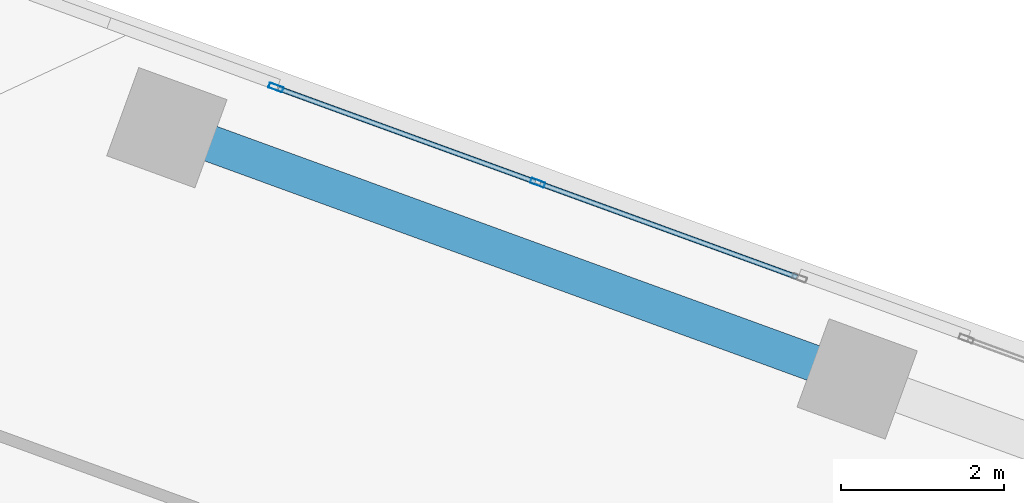
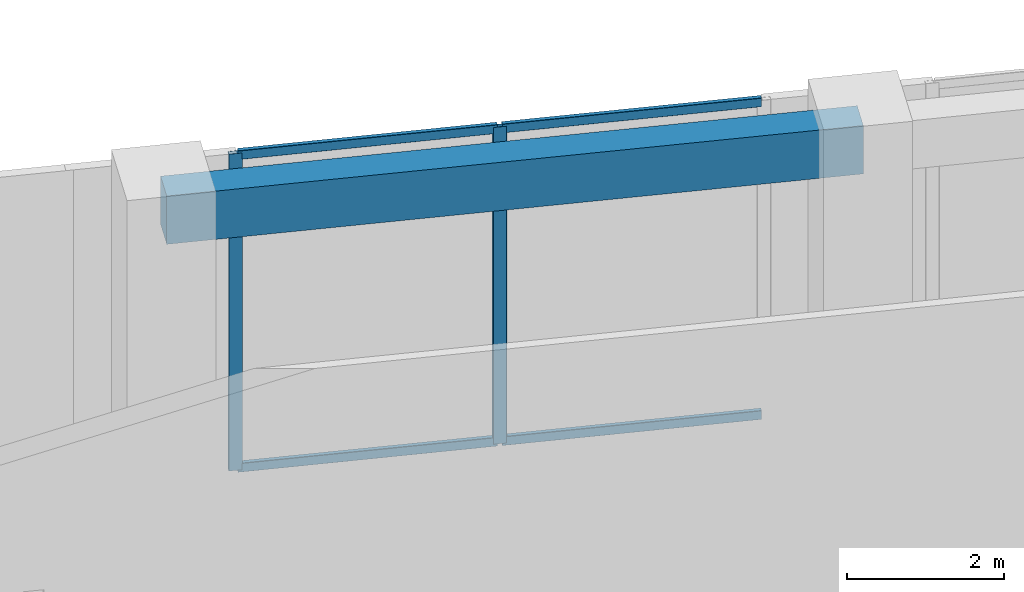
# One storey, part 13 of 21: 6 members, 1 beam, 1 element without a shape of its own.
"""IFC4 building model written with IfcOpenShell, lengths in metres."""

from ifc_helpers import new_model, si_unit, direction, frame, origin, origin_2d, place, context, subcontext, project, spatial, rectangle, hollow_rectangle, extrude, source, transform, mapped, material, material_profile, profile_set, type_object, element, aggregate, save


model = new_model("IFC4")

# Units and contexts
model_context = context("Model", 3, precision=1e-05, world=origin(), true_north=direction((0.0, 1.0)))
body_context = subcontext(model_context, "Body", "Model", "MODEL_VIEW")
ifc_project = project(units=[si_unit("LENGTHUNIT", "METRE"), si_unit("AREAUNIT", "SQUARE_METRE"), si_unit("VOLUMEUNIT", "CUBIC_METRE"), si_unit("PLANEANGLEUNIT", "RADIAN"), si_unit("MASSUNIT", "GRAM", prefix="KILO")], contexts=[model_context])

# Site, building, storey
site_placement = place(None, origin())
site = spatial("IfcSite", under=ifc_project, at=site_placement, CompositionType="ELEMENT")
building_placement = place(site_placement, origin())
building = spatial("IfcBuilding", under=site, at=building_placement, Name="Torre Montelarca", CompositionType="ELEMENT")
storey_placement = place(building_placement, frame((0.0, 0.0, 127.60009765625)))
storey = spatial("IfcBuildingStorey", under=building, at=storey_placement, Name="L28", CompositionType="ELEMENT", Elevation=127.60009765625)

# Beam
ifc_material_1 = material(Name="Concrete C55/67", Category="concrete")
ifc_material_profile_1 = material_profile(ifc_material_1, rectangle(XDim=0.449951171875, YDim=0.75, at=origin_2d()), Name="RCB450X750", Category="concrete")
ifc_profile_set_1 = profile_set([ifc_material_profile_1], Name="Concrete C55/67")
beam_type = type_object("IfcBeamType", Name="BM-SP-RC750-EXT", PredefinedType="SPANDREL", material=ifc_profile_set_1)
shared_shape_1 = source(origin(), body_context, "Body", "SweptSolid", [
    extrude(rectangle(XDim=0.449951171875, YDim=0.75, at=origin_2d()), origin(), (0.0, 0.0, 1.0), 9.0),
])
beam_placement = place(storey_placement, frame((14.935302734375, 50.51171875, 4.784912109375), z_axis=(0.939686455819, -0.342037080957, 0.0), x_axis=(0.342037080957, 0.939686455819, 0.0)))
element("IfcBeam", 1, at=beam_placement, inside=storey, type_object=beam_type, Name="L28 Grid Girder X 9.0-18.0 at Y=47.1", PredefinedType="SPANDREL", context=body_context, shape_type="MappedRepresentation", body=[
    mapped(shared_shape_1, transform((0.0, 0.0, 0.0), scale=1.0)),
])

# Curtain wall, members
ifc_material_2 = material(Name="Insulated low-E laminated glass", Category="glass")
curtain_wall_type = type_object("IfcCurtainWallType", Name="CW-SYS-Z2", PredefinedType="USERDEFINED", material=ifc_material_2)
curtain_wall_placement = place(storey_placement, origin())
curtain_wall = element("IfcCurtainWall", 2, at=curtain_wall_placement, inside=storey, type_object=curtain_wall_type, Name="L28 Curtain Wall Run CW-T3-L28-E08-B4", ObjectType="UNITISED GLAZING", PredefinedType="USERDEFINED")
ifc_material_3 = material(Name="Anodised aluminium AA 6063-T6", Category="aluminium")
ifc_material_profile_2 = material_profile(ifc_material_3, hollow_rectangle(XDim=0.06494140625, YDim=0.179931640625, WallThickness=0.00390625, InnerFilletRadius=0.00390625, OuterFilletRadius=0.008056640625, at=origin_2d()), Name="ALU65X180X4", Category="aluminium")
ifc_profile_set_2 = profile_set([ifc_material_profile_2], Name="Anodised aluminium AA 6063-T6")
member_type_1 = type_object("IfcMemberType", Name="CWM-ALU180", PredefinedType="MULLION", material=ifc_profile_set_2)
shared_shape_2 = source(origin(), body_context, "Body", "SweptSolid", [
    extrude(hollow_rectangle(XDim=0.06494140625, YDim=0.179931640625, WallThickness=0.00390625, InnerFilletRadius=0.00390625, OuterFilletRadius=0.008056640625, at=origin_2d()), origin(), (0.0, 0.0, 1.0), 4.919921875),
])
member_1_placement = place(storey_placement, frame((19.478759765625, 49.8369140625, 0.0), z_axis=(0.0, 0.0, 1.0), x_axis=(-0.342012238686, -0.939695497802, 0.0)))
member_1 = element("IfcMember", 3, at=member_1_placement, type_object=member_type_1, Name="CW mullion 2", PredefinedType="MULLION", context=body_context, shape_type="MappedRepresentation", body=[
    mapped(shared_shape_2, transform((0.0, 0.0, 0.0), scale=1.0)),
])
member_2_placement = place(storey_placement, frame((16.27197265625, 51.004150390625, 0.0), z_axis=(0.0, 0.0, 1.0), x_axis=(-0.342012238686, -0.939695497802, 0.0)))
member_2 = element("IfcMember", 4, at=member_2_placement, type_object=member_type_1, Name="CW mullion 3", PredefinedType="MULLION", context=body_context, shape_type="MappedRepresentation", body=[
    mapped(shared_shape_2, transform((0.0, 0.0, 0.0), scale=1.0)),
])
ifc_material_profile_3 = material_profile(ifc_material_3, hollow_rectangle(XDim=0.06494140625, YDim=0.139892578125, WallThickness=0.00390625, InnerFilletRadius=0.00390625, OuterFilletRadius=0.008056640625, at=origin_2d()), Name="ALU65X140X4", Category="aluminium")
ifc_profile_set_3 = profile_set([ifc_material_profile_3], Name="Anodised aluminium AA 6063-T6")
member_type_2 = type_object("IfcMemberType", Name="CWT-ALU140", PredefinedType="USERDEFINED", material=ifc_profile_set_3)
shared_shape_3 = source(origin(), body_context, "Body", "SweptSolid", [
    extrude(hollow_rectangle(XDim=0.06494140625, YDim=0.139892578125, WallThickness=0.00390625, InnerFilletRadius=0.00390625, OuterFilletRadius=0.008056640625, at=origin_2d()), origin(), (0.0, 0.0, 1.0), 3.34765625),
])
member_3_placement = place(storey_placement, frame((22.655029296875, 48.680908203125, 0.032470703125), z_axis=(-0.939686912558, 0.342035826146, 0.0), x_axis=(-0.342035826146, -0.939686912558, 0.0)))
member_3 = element("IfcMember", 5, at=member_3_placement, type_object=member_type_2, Name="CW transom 1.1", ObjectType="TRANSOM", PredefinedType="USERDEFINED", context=body_context, shape_type="MappedRepresentation", body=[
    mapped(shared_shape_3, transform((0.0, 0.0, 0.0), scale=1.0)),
])
member_4_placement = place(storey_placement, frame((22.655029296875, 48.680908203125, 4.887451171875), z_axis=(-0.939686912558, 0.342035826146, 0.0), x_axis=(-0.342035826146, -0.939686912558, 0.0)))
member_4 = element("IfcMember", 6, at=member_4_placement, type_object=member_type_2, Name="CW transom 1.2", ObjectType="TRANSOM", PredefinedType="USERDEFINED", context=body_context, shape_type="MappedRepresentation", body=[
    mapped(shared_shape_3, transform((0.0, 0.0, 0.0), scale=1.0)),
])
member_5_placement = place(storey_placement, frame((19.4482421875, 49.84814453125, 0.032470703125), z_axis=(-0.939710350716, 0.341971426815, 0.0), x_axis=(-0.341971426815, -0.939710350716, 0.0)))
member_5 = element("IfcMember", 7, at=member_5_placement, type_object=member_type_2, Name="CW transom 2.1", ObjectType="TRANSOM", PredefinedType="USERDEFINED", context=body_context, shape_type="MappedRepresentation", body=[
    mapped(shared_shape_3, transform((0.0, 0.0, 0.0), scale=1.0)),
])
member_6_placement = place(storey_placement, frame((19.4482421875, 49.84814453125, 4.887451171875), z_axis=(-0.939710350716, 0.341971426815, 0.0), x_axis=(-0.341971426815, -0.939710350716, 0.0)))
member_6 = element("IfcMember", 8, at=member_6_placement, type_object=member_type_2, Name="CW transom 2.2", ObjectType="TRANSOM", PredefinedType="USERDEFINED", context=body_context, shape_type="MappedRepresentation", body=[
    mapped(shared_shape_3, transform((0.0, 0.0, 0.0), scale=1.0)),
])
aggregate(curtain_wall, [member_1, member_2, member_3, member_4, member_5, member_6])

save(model, "model.ifc")
